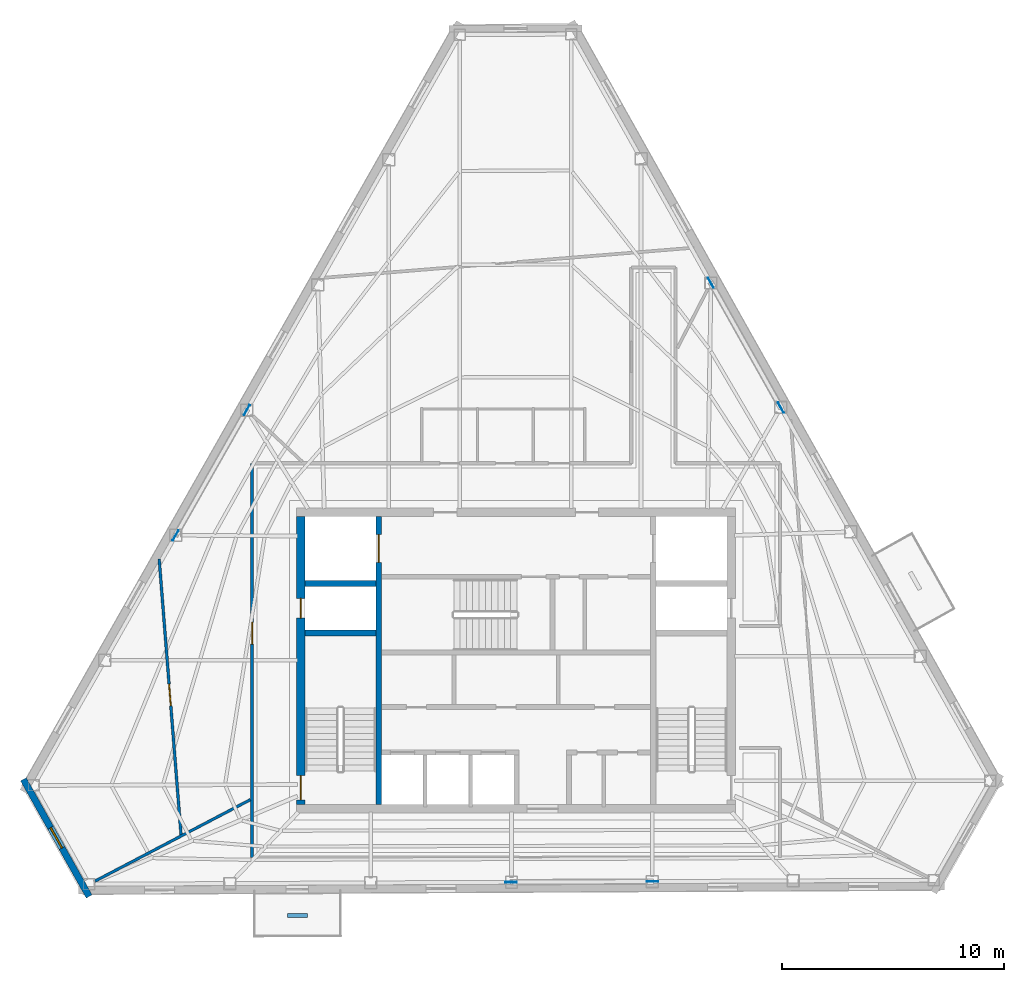
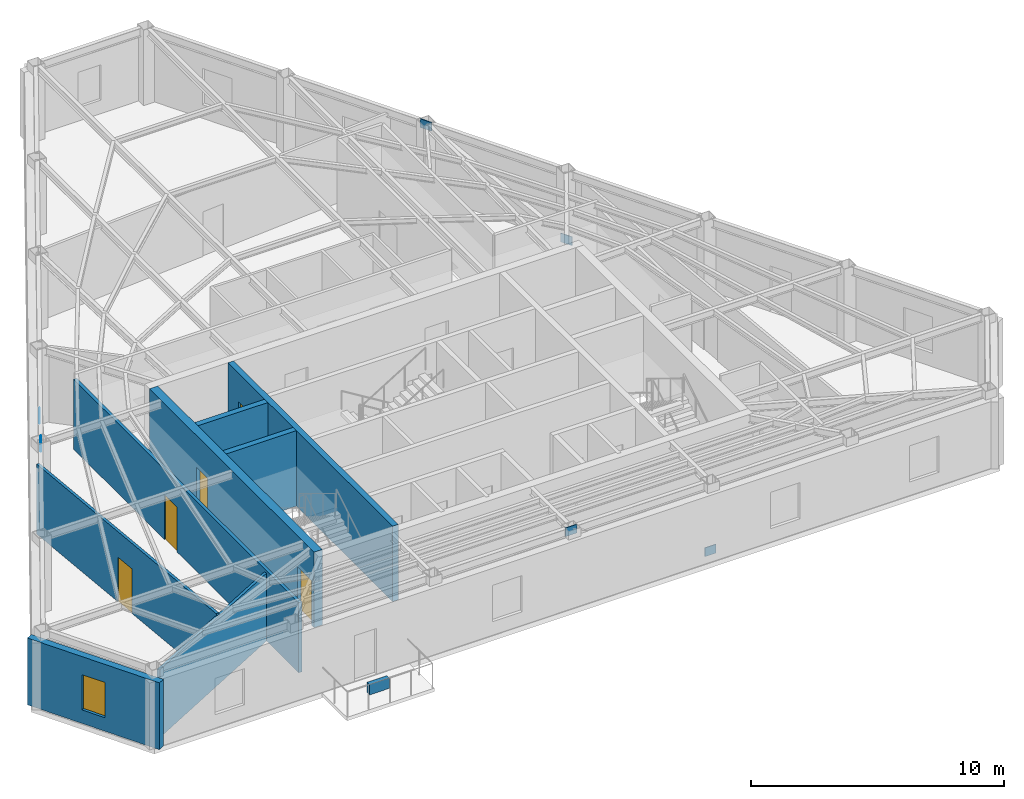
# One storey, part 4 of 9: 9 walls, 6 plates, 5 doors, 1 window, 6 openings.
"""IFC4 building model written with IfcOpenShell, lengths in metres."""

from ifc_helpers import new_model, si_unit, direction, frame, frame_2d, origin, origin_2d, place, context, subcontext, project, spatial, rectangle, extrude, material, layer, layer_set, type_object, element, fill, save


model = new_model("IFC4")

# Units and contexts
model_context = context("Model", 3, precision=1e-05, world=origin(), true_north=direction((0.0, 1.0)))
body_context = subcontext(model_context, "Body", "Model", "MODEL_VIEW")
ifc_project = project(units=[si_unit("LENGTHUNIT", "METRE"), si_unit("AREAUNIT", "SQUARE_METRE"), si_unit("VOLUMEUNIT", "CUBIC_METRE"), si_unit("PLANEANGLEUNIT", "RADIAN"), si_unit("MASSUNIT", "GRAM", prefix="KILO")], contexts=[model_context])

# Site, building, storey
site_placement = place(None, origin())
site = spatial("IfcSite", under=ifc_project, at=site_placement, CompositionType="ELEMENT")
building_placement = place(site_placement, origin())
building = spatial("IfcBuilding", under=site, at=building_placement, Name="Kavelnor Concourse Tower", CompositionType="ELEMENT")
storey_placement = place(building_placement, frame((0.0, 0.0, 301.10009765625)))
storey = spatial("IfcBuildingStorey", under=building, at=storey_placement, Name="L76", CompositionType="ELEMENT", Elevation=301.10009765625)

# Plates
ifc_material_1 = material(Name="Steel Grade 350", Category="steel")
ifc_layer_1 = layer(ifc_material_1, 0.031982421875, Name="Steel Grade 350")
ifc_layer_set_1 = layer_set([ifc_layer_1], Name="Steel Grade 350")
plate_type = type_object("IfcPlateType", Name="PL-GUSSET-TUBE-Z1", PredefinedType="USERDEFINED", material=ifc_layer_set_1)
for number, where, z_axis, x_axis, name in (
    (1, (25.856201171875, 27.402099609375, 0.010009765625), (0.0, 0.0, 1.0), (-0.493638325511, -0.869667294767, 0.0), "L76 Tube Brace Gusset GP3 F0-B3 End Gusset A"),
    (2, (22.640380859375, 21.73583984375, 3.221923828125), (0.0, 0.0, 1.0), (-0.493638325511, -0.869667294767, 0.0), "L76 Tube Brace Gusset GP3 F0-B3 End Gusset B"),
    (3, (44.158203125, 6.11962890625, 0.010009765625), (0.0, 0.0, 1.0), (-0.999988896716, -0.004712371539, 0.0), "L76 Tube Brace Gusset GP3 F1-B3 End Gusset A"),
    (4, (37.78271484375, 6.08935546875, 3.221923828125), (0.0, 0.0, 1.0), (-0.999988896716, -0.004712371539, 0.0), "L76 Tube Brace Gusset GP3 F1-B3 End Gusset B"),
    (5, (49.9501953125, 27.5, 0.010009765625), (0.0, 0.0, 1.0), (-0.489382451749, 0.872069272432, 0.0), "L76 Tube Brace Gusset GP3 F2-B3 End Gusset A"),
    (6, (46.787353515625, 33.135009765625, 3.221923828125), (0.0, 0.0, 1.0), (-0.489382451749, 0.872069272432, 0.0), "L76 Tube Brace Gusset GP3 F2-B3 End Gusset B"),
):
    element("IfcPlate", number, at=place(storey_placement, frame(where, z_axis=z_axis, x_axis=x_axis)), inside=storey, type_object=plate_type, Name=name, ObjectType="GUSSET_PLATE", PredefinedType="USERDEFINED", context=body_context, shape_type="SweptSolid", body=[
        extrude(rectangle(XDim=0.52001953125, YDim=0.031982421875, at=origin_2d()), origin(), (0.0, 0.0, 1.0), 0.419921875),
    ])

# Wall, openings, doors
ifc_material_2 = material(Name="Concrete C50/60", Category="concrete")
ifc_layer_2 = layer(ifc_material_2, 0.3798828125, Name="Concrete C50/60")
ifc_layer_set_2 = layer_set([ifc_layer_2], Name="Concrete C50/60")
wall_type_1 = type_object("IfcWallType", Name="WL-CORE-Z4-380", PredefinedType="SOLIDWALL", material=ifc_layer_set_2)
wall_1_placement = place(storey_placement, frame((28.2900390625, 9.60009765625, 0.0), z_axis=(0.0, 0.0, 1.0), x_axis=(0.0, 1.0, 0.0)))
wall_1 = element("IfcWall", 7, at=wall_1_placement, inside=storey, type_object=wall_type_1, Name="L76 Central Core West Shear Wall", PredefinedType="SOLIDWALL", context=body_context, shape_type="SweptSolid", body=[
    extrude(rectangle(XDim=13.0, YDim=0.3798828125, at=frame_2d((6.5, 0.0))), origin(), (0.0, 0.0, 1.0), 3.635009765625),
])
opening_1_placement = place(wall_1_placement, frame((0.199951171875, 0.0, 0.0)))
opening_1 = element("IfcOpeningElement", 8, at=opening_1_placement, cuts=wall_1, Name="Opening FD-110", PredefinedType="OPENING", context=body_context, shape_type="SweptSolid", body=[
    extrude(rectangle(XDim=1.10009765625, YDim=2.14990234375, at=frame_2d((0.550048828125, 1.074951171875))), frame((0.0, 0.199951171875, 0.0), z_axis=(0.0, -1.0, 0.0), x_axis=(1.0, 0.0, 0.0)), (0.0, 0.0, 1.0), 0.39990234375),
])
opening_2_placement = place(wall_1_placement, frame((8.39990234375, 0.0, 0.0)))
opening_2 = element("IfcOpeningElement", 9, at=opening_2_placement, cuts=wall_1, Name="Opening FD-090", PredefinedType="OPENING", context=body_context, shape_type="SweptSolid", body=[
    extrude(rectangle(XDim=0.89990234375, YDim=2.10009765625, at=frame_2d((0.449951171875, 1.050048828125))), frame((0.0, 0.199951171875, 0.0), z_axis=(0.0, -1.0, 0.0), x_axis=(1.0, 0.0, 0.0)), (0.0, 0.0, 1.0), 0.39990234375),
])
door_type_1 = type_object("IfcDoorType", Name="DR-RISER-FIRE-900", OperationType="NOTDEFINED", PredefinedType="DOOR", material=ifc_material_1)
door_1_placement = place(opening_2_placement, origin())
door_1 = element("IfcDoor", 10, at=door_1_placement, inside=storey, type_object=door_type_1, Name="L76 West Riser Access Door", OperationType="SINGLE_SWING_RIGHT", OverallHeight=2.10009765625, OverallWidth=0.89990234375, PredefinedType="DOOR", context=body_context, shape_type="SweptSolid", body=[
    extrude(rectangle(XDim=0.89990234375, YDim=2.10009765625, at=frame_2d((0.449951171875, 1.050048828125))), frame((0.0, 0.02490234375, 0.0), z_axis=(0.0, -1.0, 0.0), x_axis=(1.0, 0.0, 0.0)), (0.0, 0.0, 1.0), 0.050048828125),
])
fill(opening_2, door_1)
door_type_2 = type_object("IfcDoorType", Name="DR-STAIR-FIRE-1100", OperationType="NOTDEFINED", PredefinedType="DOOR", material=ifc_material_1)
door_2_placement = place(opening_1_placement, origin())
door_2 = element("IfcDoor", 11, at=door_2_placement, inside=storey, type_object=door_type_2, Name="L76 Stair ST1 Fire Door", OperationType="SINGLE_SWING_LEFT", OverallHeight=2.14990234375, OverallWidth=1.10009765625, PredefinedType="DOOR", context=body_context, shape_type="SweptSolid", body=[
    extrude(rectangle(XDim=1.10009765625, YDim=2.14990234375, at=frame_2d((0.550048828125, 1.074951171875))), frame((0.0, 0.02490234375, 0.0), z_axis=(0.0, -1.0, 0.0), x_axis=(1.0, 0.0, 0.0)), (0.0, 0.0, 1.0), 0.050048828125),
])
fill(opening_1, door_2)

# Wall, opening, window
ifc_material_3 = material(Name="Buff ironspot clay face brick masonry", Category="masonry")
ifc_layer_3 = layer(ifc_material_3, 0.300048828125, Name="Buff ironspot clay face brick masonry")
ifc_layer_set_3 = layer_set([ifc_layer_3], Name="Buff ironspot clay face brick masonry")
wall_type_2 = type_object("IfcWallType", Name="WL-EXT-BUFF-BRICK-FOLD-300", PredefinedType="STANDARD", material=ifc_layer_set_3)
wall_2_placement = place(storey_placement, frame((18.740234375, 5.44580078125, 0.0), z_axis=(0.0, 0.0, 1.0), x_axis=(-0.489446669506, 0.872033231998, 0.0)))
wall_2 = element("IfcWall", 12, at=wall_2_placement, inside=storey, type_object=wall_type_2, Name="L76 Exterior Brick Facade Wall E2", PredefinedType="STANDARD", context=body_context, shape_type="SweptSolid", body=[
    extrude(rectangle(XDim=6.0634765625, YDim=0.300048828125, at=frame_2d((3.03173828125, 0.0))), origin(), (0.0, 0.0, 1.0), 3.220947265625),
])
opening_3_placement = place(wall_2_placement, frame((2.5068359375, 0.0, 0.64990234375)))
opening_3 = element("IfcOpeningElement", 13, at=opening_3_placement, cuts=wall_2, Name="Opening W-06", PredefinedType="OPENING", context=body_context, shape_type="SweptSolid", body=[
    extrude(rectangle(XDim=1.050048828125, YDim=1.699951171875, at=frame_2d((0.52490234375, 0.85009765625))), frame((0.0, 0.16015625, 0.0), z_axis=(0.0, -1.0, 0.0), x_axis=(1.0, 0.0, 0.0)), (0.0, 0.0, 1.0), 0.320068359375),
])
ifc_material_4 = material(Name="Double low-E argon insulated glazing", Category="glass")
window_type = type_object("IfcWindowType", Name="WIN-FOLD-1050", PartitioningType="SINGLE_PANEL", PredefinedType="WINDOW", material=ifc_material_4)
window_placement = place(opening_3_placement, origin())
window = element("IfcWindow", 14, at=window_placement, inside=storey, type_object=window_type, Name="L76 Chamfer-Fold Facet Window C1", OverallHeight=1.699951171875, OverallWidth=1.050048828125, PartitioningType="SINGLE_PANEL", PredefinedType="WINDOW", context=body_context, shape_type="SweptSolid", body=[
    extrude(rectangle(XDim=1.050048828125, YDim=1.699951171875, at=frame_2d((0.52490234375, 0.85009765625))), frame((0.0, 0.030029296875, 0.0), z_axis=(0.0, -1.0, 0.0), x_axis=(1.0, 0.0, 0.0)), (0.0, 0.0, 1.0), 0.06005859375),
])
fill(opening_3, window)

# Wall, opening, door
ifc_material_5 = material(Name="Gypsum plasterboard on light-gauge steel studs", Category="steel")
ifc_layer_4 = layer(ifc_material_5, 0.14501953125, Name="Gypsum plasterboard on light-gauge steel studs")
ifc_layer_set_4 = layer_set([ifc_layer_4], Name="Gypsum plasterboard on light-gauge steel studs")
wall_type_3 = type_object("IfcWallType", Name="WL-INT-CORR-145", PredefinedType="PARTITIONING", material=ifc_layer_set_4)
wall_3_placement = place(storey_placement, frame((26.090087890625, 7.2099609375, 0.0), z_axis=(0.0, 0.0, 1.0), x_axis=(0.0, 1.0, 0.0)))
wall_3 = element("IfcWall", 15, at=wall_3_placement, inside=storey, type_object=wall_type_3, Name="L76 Corridor Wall WL-L76-CR-10", PredefinedType="PARTITIONING", context=body_context, shape_type="SweptSolid", body=[
    extrude(rectangle(XDim=17.780029296875, YDim=0.14501953125, at=frame_2d((8.89013671875, 0.0))), origin(), (0.0, 0.0, 1.0), 3.3740234375),
])
opening_4_placement = place(wall_3_placement, frame((9.6240234375, 0.0, 0.0)))
opening_4 = element("IfcOpeningElement", 16, at=opening_4_placement, cuts=wall_3, Name="Opening OD-098", PredefinedType="OPENING", context=body_context, shape_type="SweptSolid", body=[
    extrude(rectangle(XDim=0.97998046875, YDim=2.14990234375, at=frame_2d((0.489990234375, 1.074951171875))), frame((0.0, 0.08251953125, 0.0), z_axis=(0.0, -1.0, 0.0), x_axis=(1.0, 0.0, 0.0)), (0.0, 0.0, 1.0), 0.1650390625),
])
ifc_material_6 = material(Name="Solid-core hardwood timber", Category="wood")
door_type_3 = type_object("IfcDoorType", Name="DR-OFFICE-980", OperationType="NOTDEFINED", PredefinedType="DOOR", material=ifc_material_6)
door_3_placement = place(opening_4_placement, origin())
door_3 = element("IfcDoor", 17, at=door_3_placement, inside=storey, type_object=door_type_3, Name="L76 Building Staff Breakroom 05 Door", OperationType="SINGLE_SWING_RIGHT", OverallHeight=2.14990234375, OverallWidth=0.97998046875, PredefinedType="DOOR", context=body_context, shape_type="SweptSolid", body=[
    extrude(rectangle(XDim=0.97998046875, YDim=2.14990234375, at=frame_2d((0.489990234375, 1.074951171875))), frame((0.0, 0.02490234375, 0.0), z_axis=(0.0, -1.0, 0.0), x_axis=(1.0, 0.0, 0.0)), (0.0, 0.0, 1.0), 0.050048828125),
])
fill(opening_4, door_3)

# Wall
ifc_layer_5 = layer(ifc_material_5, 0.125, Name="Gypsum plasterboard on light-gauge steel studs")
ifc_layer_set_5 = layer_set([ifc_layer_5], Name="Gypsum plasterboard on light-gauge steel studs")
wall_type_4 = type_object("IfcWallType", Name="WL-INT-SUITE-125", PredefinedType="PARTITIONING", material=ifc_layer_set_5)
wall_4_placement = place(storey_placement, frame((26.009521484375, 9.8115234375, 0.0), z_axis=(0.0, 0.0, 1.0), x_axis=(-0.885601154602, -0.464446546944, 0.0)))
element("IfcWall", 18, at=wall_4_placement, inside=storey, type_object=wall_type_4, Name="L76 Radial Suite Partition 03", PredefinedType="PARTITIONING", context=body_context, shape_type="SweptSolid", body=[
    extrude(rectangle(XDim=7.906494140625, YDim=0.125, at=frame_2d((3.953125, 0.0))), origin(), (0.0, 0.0, 1.0), 3.27099609375),
])

# Wall, opening, door
wall_5_placement = place(storey_placement, frame((21.8974609375, 20.669921875, 0.0), z_axis=(0.0, 0.0, 1.0), x_axis=(0.07914521928, -0.996863097053, 0.0)))
wall_5 = element("IfcWall", 19, at=wall_5_placement, inside=storey, type_object=wall_type_4, Name="L76 Suite Subdivision Partition 03", PredefinedType="PARTITIONING", context=body_context, shape_type="SweptSolid", body=[
    extrude(rectangle(XDim=12.517822265625, YDim=0.125, at=frame_2d((6.2587890625, 0.0))), origin(), (0.0, 0.0, 1.0), 3.3740234375),
])
opening_5_placement = place(wall_5_placement, frame((5.656005859375, 0.0, 0.0)))
opening_5 = element("IfcOpeningElement", 20, at=opening_5_placement, cuts=wall_5, Name="Opening OD-098", PredefinedType="OPENING", context=body_context, shape_type="SweptSolid", body=[
    extrude(rectangle(XDim=0.97998046875, YDim=2.14990234375, at=frame_2d((0.489990234375, 1.074951171875))), frame((0.0, 0.072509765625, 0.0), z_axis=(0.0, -1.0, 0.0), x_axis=(1.0, 0.0, 0.0)), (0.0, 0.0, 1.0), 0.14501953125),
])
door_4_placement = place(opening_5_placement, origin())
door_4 = element("IfcDoor", 21, at=door_4_placement, inside=storey, type_object=door_type_3, Name="L76 Building Staff Breakroom 06 Door", OperationType="SINGLE_SWING_LEFT", OverallHeight=2.14990234375, OverallWidth=0.97998046875, PredefinedType="DOOR", context=body_context, shape_type="SweptSolid", body=[
    extrude(rectangle(XDim=0.97998046875, YDim=2.14990234375, at=frame_2d((0.489990234375, 1.074951171875))), frame((0.0, 0.02490234375, 0.0), z_axis=(0.0, -1.0, 0.0), x_axis=(1.0, 0.0, 0.0)), (0.0, 0.0, 1.0), 0.050048828125),
])
fill(opening_5, door_4)

# Wall
ifc_material_7 = material(Name="Architectural precast planter concrete C40/50", Category="concrete")
ifc_layer_6 = layer(ifc_material_7, 0.18994140625, Name="Architectural precast planter concrete C40/50")
ifc_layer_set_6 = layer_set([ifc_layer_6], Name="Architectural precast planter concrete C40/50")
wall_type_5 = type_object("IfcWallType", Name="WL-PLANTER-KERB-190", PredefinedType="USERDEFINED", material=ifc_layer_set_6)
wall_6_placement = place(storey_placement, frame((27.681640625, 4.586181640625, 0.0), z_axis=(0.0, 0.0, 1.0), x_axis=(0.999988076697, 0.004883284151, 0.0)))
element("IfcWall", 22, at=wall_6_placement, inside=storey, type_object=wall_type_5, Name="L76 Tree Balcony 1 Tree Planter Kerb", ObjectType="PLANTER", PredefinedType="USERDEFINED", context=body_context, shape_type="SweptSolid", body=[
    extrude(rectangle(XDim=0.89990234375, YDim=0.18994140625, at=frame_2d((0.449951171875, 0.0))), origin(), (0.0, 0.0, 1.0), 0.5),
])

# Wall, opening, door
ifc_layer_7 = layer(ifc_material_2, 0.260009765625, Name="Concrete C50/60")
ifc_layer_set_7 = layer_set([ifc_layer_7], Name="Concrete C50/60")
wall_type_6 = type_object("IfcWallType", Name="WL-SHAFT-260", PredefinedType="SHEAR", material=ifc_layer_set_7)
wall_7_placement = place(storey_placement, frame((31.81005859375, 9.60009765625, 0.0), z_axis=(0.0, 0.0, 1.0), x_axis=(0.0, 1.0, 0.0)))
wall_7 = element("IfcWall", 23, at=wall_7_placement, inside=storey, type_object=wall_type_6, Name="L76 Core West Wing Shear Wall", PredefinedType="SHEAR", context=body_context, shape_type="SweptSolid", body=[
    extrude(rectangle(XDim=13.0, YDim=0.260009765625, at=frame_2d((6.5, 0.0))), origin(), (0.0, 0.0, 1.0), 3.635009765625),
])
opening_6_placement = place(wall_7_placement, frame((10.925048828125, 0.0, 0.0)))
opening_6 = element("IfcOpeningElement", 24, at=opening_6_placement, cuts=wall_7, Name="Opening LD-125", PredefinedType="OPENING", context=body_context, shape_type="SweptSolid", body=[
    extrude(rectangle(XDim=1.25, YDim=2.25, at=frame_2d((0.625, 1.125))), frame((0.0, 0.14013671875, 0.0), z_axis=(0.0, -1.0, 0.0), x_axis=(1.0, 0.0, 0.0)), (0.0, 0.0, 1.0), 0.280029296875),
])
door_type_4 = type_object("IfcDoorType", Name="DR-LIFT-SLIDING-1250", OperationType="NOTDEFINED", PredefinedType="DOOR", material=ifc_material_1)
door_5_placement = place(opening_6_placement, origin())
door_5 = element("IfcDoor", 25, at=door_5_placement, inside=storey, type_object=door_type_4, Name="L76 Emergency Lift FL1 Landing Door", OperationType="DOUBLE_DOOR_SLIDING", OverallHeight=2.25, OverallWidth=1.25, PredefinedType="DOOR", context=body_context, shape_type="SweptSolid", body=[
    extrude(rectangle(XDim=1.25, YDim=2.25, at=frame_2d((0.625, 1.125))), frame((0.0, 0.02490234375, 0.0), z_axis=(0.0, -1.0, 0.0), x_axis=(1.0, 0.0, 0.0)), (0.0, 0.0, 1.0), 0.050048828125),
])
fill(opening_6, door_5)

# Walls
for number, where, z_axis, x_axis, name in (
    (26, (28.47998046875, 17.330078125, 0.0), (0.0, 0.0, 1.0), (1.0, 0.0, 0.0), "L76 Stair ST1 North Shaft Wall"),
    (27, (28.47998046875, 19.570068359375, 0.0), (0.0, 0.0, 1.0), (1.0, 0.0, 0.0), "L76 Emergency Lift FL1 South Shaft Wall"),
):
    element("IfcWall", number, at=place(storey_placement, frame(where, z_axis=z_axis, x_axis=x_axis)), inside=storey, type_object=wall_type_6, Name=name, PredefinedType="SHEAR", context=body_context, shape_type="SweptSolid", body=[
        extrude(rectangle(XDim=3.199951171875, YDim=0.260009765625, at=frame_2d((1.60009765625, 0.0))), origin(), (0.0, 0.0, 1.0), 3.635009765625),
    ])

save(model, "model.ifc")
